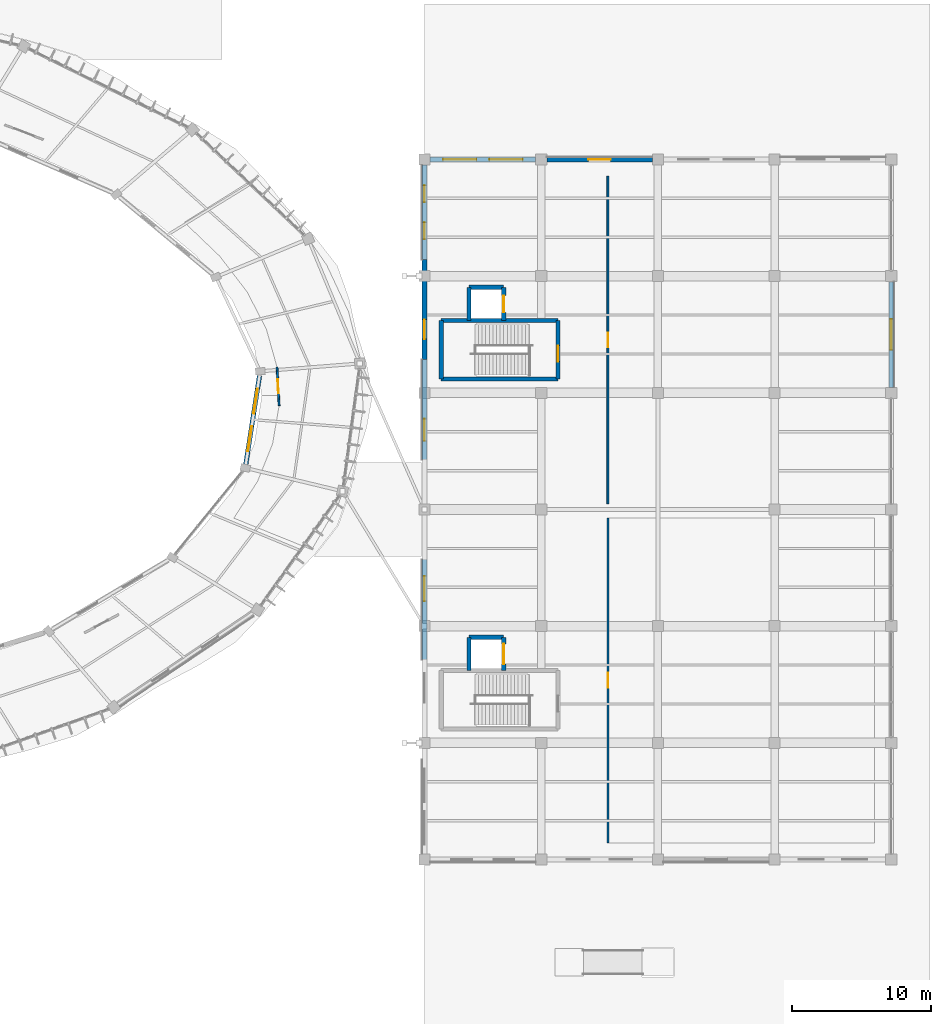
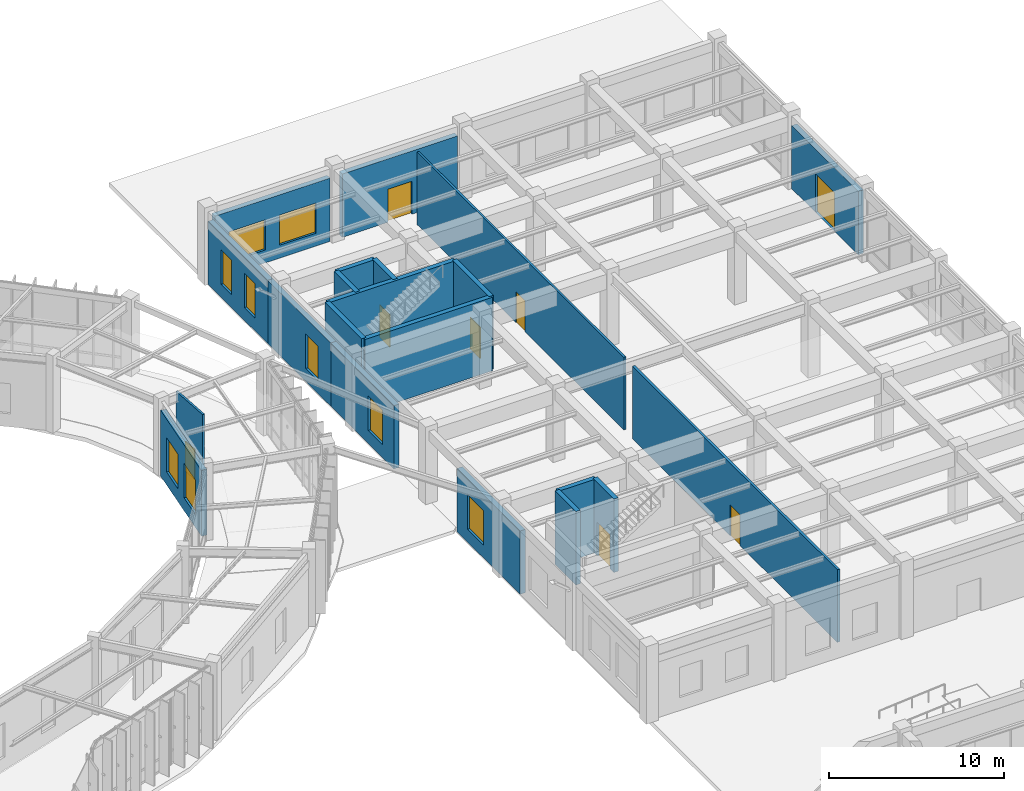
# One storey, part 134 of 157: 21 walls, 9 windows, 8 doors, 17 openings.
"""IFC4 building model written with IfcOpenShell, lengths in metres."""

from ifc_helpers import new_model, si_unit, direction, frame, frame_2d, origin, place, context, subcontext, project, spatial, rectangle, extrude, material, layer, layer_set, type_object, element, fill, save


model = new_model("IFC4")

# Units and contexts
model_context = context("Model", 3, precision=1e-05, world=origin(), true_north=direction((0.0, 1.0)))
body_context = subcontext(model_context, "Body", "Model", "MODEL_VIEW")
ifc_project = project(units=[si_unit("LENGTHUNIT", "METRE"), si_unit("AREAUNIT", "SQUARE_METRE"), si_unit("VOLUMEUNIT", "CUBIC_METRE"), si_unit("PLANEANGLEUNIT", "RADIAN"), si_unit("MASSUNIT", "GRAM", prefix="KILO"), si_unit("THERMODYNAMICTEMPERATUREUNIT", "KELVIN"), si_unit("POWERUNIT", "WATT")], contexts=[model_context])

# Site, building, storey
site_placement = place(None, origin())
site = spatial("IfcSite", under=ifc_project, at=site_placement, CompositionType="ELEMENT")
building_placement = place(site_placement, origin())
building = spatial("IfcBuilding", under=site, at=building_placement, Name="Darbajah Civic Hall", CompositionType="ELEMENT")
storey_placement = place(building_placement, origin())
storey = spatial("IfcBuildingStorey", under=building, at=storey_placement, Name="L00", CompositionType="ELEMENT", Elevation=0.0)

# Wall
ifc_material_1 = material(Name="Concrete C45/55", Category="concrete")
ifc_layer_1 = layer(ifc_material_1, 0.300048828125, Name="Concrete C45/55")
ifc_layer_set_1 = layer_set([ifc_layer_1], Name="Concrete C45/55")
wall_type_1 = type_object("IfcWallType", Name="Core Shear Wall 300mm", PredefinedType="SHEAR", material=ifc_layer_set_1)
wall_1_placement = place(storey_placement, frame((145.800048828125, 91.0, 0.0), z_axis=(0.0, 0.0, 1.0), x_axis=(1.0, 0.0, 0.0)))
element("IfcWall", 1, at=wall_1_placement, inside=storey, type_object=wall_type_1, Name="L00 core C08 shear wall S", PredefinedType="SHEAR", context=body_context, shape_type="SweptSolid", body=[
    extrude(rectangle(XDim=8.39990234375, YDim=0.300048828125, at=frame_2d((4.199951171875, 0.0))), origin(), (0.0, 0.0, 1.0), 5.1201171875),
])

# Wall, opening, door
wall_2_placement = place(storey_placement, frame((154.199951171875, 91.0, 0.0), z_axis=(0.0, 0.0, 1.0), x_axis=(0.0, 1.0, 0.0)))
wall_2 = element("IfcWall", 2, at=wall_2_placement, inside=storey, type_object=wall_type_1, Name="L00 core C08 shear wall E", PredefinedType="SHEAR", context=body_context, shape_type="SweptSolid", body=[
    extrude(rectangle(XDim=4.199951171875, YDim=0.300048828125, at=frame_2d((2.10009765625, 0.0))), origin(), (0.0, 0.0, 1.0), 5.1201171875),
])
opening_1_placement = place(wall_2_placement, frame((1.25, 0.0, 0.0)))
opening_1 = element("IfcOpeningElement", 3, at=opening_1_placement, cuts=wall_2, Name="Opening SD-0089", PredefinedType="OPENING", context=body_context, shape_type="SweptSolid", body=[
    extrude(rectangle(XDim=1.14990234375, YDim=2.199951171875, at=frame_2d((0.574951171875, 1.10009765625))), frame((0.0, 0.159912109375, 0.0), z_axis=(0.0, -1.0, 0.0), x_axis=(1.0, 0.0, 0.0)), (0.0, 0.0, 1.0), 0.320068359375),
])
ifc_material_2 = material(Name="Steel Rated Core Door", Category="steel")
door_type_1 = type_object("IfcDoorType", Name="Interior Door 1150x2200", OperationType="NOTDEFINED", PredefinedType="DOOR", material=ifc_material_2)
door_1_placement = place(opening_1_placement, frame((1.14990234375, 0.0, 0.0), z_axis=(0.0, 0.0, 1.0), x_axis=(-1.0, 0.0, 0.0)))
door_1 = element("IfcDoor", 4, at=door_1_placement, inside=storey, type_object=door_type_1, Name="L00 stair ST08 fire door SD-0089", OperationType="SINGLE_SWING_RIGHT", OverallHeight=2.199951171875, OverallWidth=1.14990234375, PredefinedType="DOOR", context=body_context, shape_type="SweptSolid", body=[
    extrude(rectangle(XDim=1.14990234375, YDim=2.199951171875, at=frame_2d((0.574951171875, 1.10009765625))), frame((0.0, 0.02490234375, 0.0), z_axis=(0.0, -1.0, 0.0), x_axis=(1.0, 0.0, 0.0)), (0.0, 0.0, 1.0), 0.050048828125),
])
fill(opening_1, door_1)

# Walls
wall_3_placement = place(storey_placement, frame((154.199951171875, 95.199951171875, 0.0), z_axis=(0.0, 0.0, 1.0), x_axis=(-1.0, 0.0, 0.0)))
element("IfcWall", 5, at=wall_3_placement, inside=storey, type_object=wall_type_1, Name="L00 core C08 shear wall N", PredefinedType="SHEAR", context=body_context, shape_type="SweptSolid", body=[
    extrude(rectangle(XDim=8.39990234375, YDim=0.300048828125, at=frame_2d((4.199951171875, 0.0))), origin(), (0.0, 0.0, 1.0), 5.1201171875),
])
wall_4_placement = place(storey_placement, frame((145.800048828125, 95.199951171875, 0.0), z_axis=(0.0, 0.0, 1.0), x_axis=(0.0, -1.0, 0.0)))
element("IfcWall", 6, at=wall_4_placement, inside=storey, type_object=wall_type_1, Name="L00 core C08 shear wall W", PredefinedType="SHEAR", context=body_context, shape_type="SweptSolid", body=[
    extrude(rectangle(XDim=4.199951171875, YDim=0.300048828125, at=frame_2d((2.10009765625, 0.0))), origin(), (0.0, 0.0, 1.0), 5.1201171875),
])
wall_5_placement = place(storey_placement, frame((150.300048828125, 97.60009765625, 0.0), z_axis=(0.0, 0.0, 1.0), x_axis=(-1.0, 0.0, 0.0)))
element("IfcWall", 7, at=wall_5_placement, inside=storey, type_object=wall_type_1, Name="L00 lift PL4 shaft wall N", PredefinedType="SHEAR", context=body_context, shape_type="SweptSolid", body=[
    extrude(rectangle(XDim=2.5, YDim=0.300048828125, at=frame_2d((1.25, 0.0))), origin(), (0.0, 0.0, 1.0), 5.1201171875),
])
wall_6_placement = place(storey_placement, frame((147.800048828125, 97.60009765625, 0.0), z_axis=(0.0, 0.0, 1.0), x_axis=(0.0, -1.0, 0.0)))
element("IfcWall", 8, at=wall_6_placement, inside=storey, type_object=wall_type_1, Name="L00 lift PL4 shaft wall W", PredefinedType="SHEAR", context=body_context, shape_type="SweptSolid", body=[
    extrude(rectangle(XDim=2.400146484375, YDim=0.300048828125, at=frame_2d((1.2001953125, 0.0))), origin(), (0.0, 0.0, 1.0), 5.1201171875),
])

# Wall, opening, door
wall_7_placement = place(storey_placement, frame((150.300048828125, 95.199951171875, 0.0), z_axis=(0.0, 0.0, 1.0), x_axis=(0.0, 1.0, 0.0)))
wall_7 = element("IfcWall", 9, at=wall_7_placement, inside=storey, type_object=wall_type_1, Name="L00 lift PL4 shaft wall E", PredefinedType="SHEAR", context=body_context, shape_type="SweptSolid", body=[
    extrude(rectangle(XDim=2.400146484375, YDim=0.300048828125, at=frame_2d((1.2001953125, 0.0))), origin(), (0.0, 0.0, 1.0), 5.1201171875),
])
opening_2_placement = place(wall_7_placement, frame((0.60009765625, 0.0, 0.0)))
opening_2 = element("IfcOpeningElement", 10, at=opening_2_placement, cuts=wall_7, Name="Opening LD-0094", PredefinedType="OPENING", context=body_context, shape_type="SweptSolid", body=[
    extrude(rectangle(XDim=1.199951171875, YDim=2.25, at=frame_2d((0.60009765625, 1.125))), frame((0.0, 0.159912109375, 0.0), z_axis=(0.0, -1.0, 0.0), x_axis=(1.0, 0.0, 0.0)), (0.0, 0.0, 1.0), 0.320068359375),
])
ifc_material_3 = material(Name="Stainless Lift Landing Door")
door_type_2 = type_object("IfcDoorType", Name="Lift Landing Door 1200x2250", OperationType="SLIDING_TO_LEFT", PredefinedType="DOOR", material=ifc_material_3)
door_2_placement = place(opening_2_placement, origin())
door_2 = element("IfcDoor", 11, at=door_2_placement, inside=storey, type_object=door_type_2, Name="L00 lift PL4 landing door LD-0094", OperationType="SLIDING_TO_LEFT", OverallHeight=2.25, OverallWidth=1.199951171875, PredefinedType="DOOR", context=body_context, shape_type="SweptSolid", body=[
    extrude(rectangle(XDim=1.199951171875, YDim=2.25, at=frame_2d((0.60009765625, 1.125))), frame((0.0, 0.02490234375, 0.0), z_axis=(0.0, -1.0, 0.0), x_axis=(1.0, 0.0, 0.0)), (0.0, 0.0, 1.0), 0.050048828125),
])
fill(opening_2, door_2)

# Walls
wall_8_placement = place(storey_placement, frame((150.300048828125, 72.39990234375, 0.0), z_axis=(0.0, 0.0, 1.0), x_axis=(-1.0, 0.0, 0.0)))
element("IfcWall", 12, at=wall_8_placement, inside=storey, type_object=wall_type_1, Name="L00 lift BL1 shaft wall N", PredefinedType="SHEAR", context=body_context, shape_type="SweptSolid", body=[
    extrude(rectangle(XDim=2.5, YDim=0.300048828125, at=frame_2d((1.25, 0.0))), origin(), (0.0, 0.0, 1.0), 5.1201171875),
])
wall_9_placement = place(storey_placement, frame((147.800048828125, 72.39990234375, 0.0), z_axis=(0.0, 0.0, 1.0), x_axis=(0.0, -1.0, 0.0)))
element("IfcWall", 13, at=wall_9_placement, inside=storey, type_object=wall_type_1, Name="L00 lift BL1 shaft wall W", PredefinedType="SHEAR", context=body_context, shape_type="SweptSolid", body=[
    extrude(rectangle(XDim=2.39990234375, YDim=0.300048828125, at=frame_2d((1.199951171875, 0.0))), origin(), (0.0, 0.0, 1.0), 5.1201171875),
])

# Wall, opening, door
wall_10_placement = place(storey_placement, frame((150.300048828125, 70.0, 0.0), z_axis=(0.0, 0.0, 1.0), x_axis=(0.0, 1.0, 0.0)))
wall_10 = element("IfcWall", 14, at=wall_10_placement, inside=storey, type_object=wall_type_1, Name="L00 lift BL1 shaft wall E", PredefinedType="SHEAR", context=body_context, shape_type="SweptSolid", body=[
    extrude(rectangle(XDim=2.39990234375, YDim=0.300048828125, at=frame_2d((1.199951171875, 0.0))), origin(), (0.0, 0.0, 1.0), 5.1201171875),
])
opening_3_placement = place(wall_10_placement, frame((0.47509765625, 0.0, 0.0)))
opening_3 = element("IfcOpeningElement", 15, at=opening_3_placement, cuts=wall_10, Name="Opening LD-0104", PredefinedType="OPENING", context=body_context, shape_type="SweptSolid", body=[
    extrude(rectangle(XDim=1.449951171875, YDim=2.35009765625, at=frame_2d((0.72509765625, 1.175048828125))), frame((0.0, 0.159912109375, 0.0), z_axis=(0.0, -1.0, 0.0), x_axis=(1.0, 0.0, 0.0)), (0.0, 0.0, 1.0), 0.320068359375),
])
ifc_material_4 = material(Name="Goods Lift Landing Door")
door_type_3 = type_object("IfcDoorType", Name="Lift Landing Door 1450x2350", OperationType="SLIDING_TO_LEFT", PredefinedType="DOOR", material=ifc_material_4)
door_3_placement = place(opening_3_placement, origin())
door_3 = element("IfcDoor", 16, at=door_3_placement, inside=storey, type_object=door_type_3, Name="L00 lift BL1 landing door LD-0104", OperationType="SLIDING_TO_LEFT", OverallHeight=2.35009765625, OverallWidth=1.449951171875, PredefinedType="DOOR", context=body_context, shape_type="SweptSolid", body=[
    extrude(rectangle(XDim=1.449951171875, YDim=2.35009765625, at=frame_2d((0.72509765625, 1.175048828125))), frame((0.0, 0.02490234375, 0.0), z_axis=(0.0, -1.0, 0.0), x_axis=(1.0, 0.0, 0.0)), (0.0, 0.0, 1.0), 0.050048828125),
])
fill(opening_3, door_3)

# Wall, openings, windows
ifc_material_5 = material(Name="Qatari Desert Limestone Ashlar", Category="masonry")
ifc_layer_2 = layer(ifc_material_5, 0.340087890625, Name="Qatari Desert Limestone Ashlar")
ifc_layer_set_2 = layer_set([ifc_layer_2], Name="Qatari Desert Limestone Ashlar")
wall_type_2 = type_object("IfcWallType", Name="Exterior Wall 340mm", PredefinedType="SOLIDWALL", material=ifc_layer_set_2)
wall_11_placement = place(storey_placement, frame((131.732666015625, 84.870849609375, 0.0), z_axis=(0.0, 0.0, 1.0), x_axis=(0.152735972987, 0.988267029985, 0.0)))
wall_11 = element("IfcWall", 17, at=wall_11_placement, inside=storey, type_object=wall_type_2, Name="L00 exterior wall EW-340", PredefinedType="SOLIDWALL", context=body_context, shape_type="SweptSolid", body=[
    extrude(rectangle(XDim=6.43212890625, YDim=0.340087890625, at=frame_2d((3.216064453125, 0.0))), origin(), (0.0, 0.0, 1.0), 4.5869140625),
])
opening_4_placement = place(wall_11_placement, frame((0.944091796875, 0.0, 0.89990234375)))
opening_4 = element("IfcOpeningElement", 18, at=opening_4_placement, cuts=wall_11, Name="Opening WN-12", PredefinedType="OPENING", context=body_context, shape_type="SweptSolid", body=[
    extrude(rectangle(XDim=1.800048828125, YDim=2.39990234375, at=frame_2d((0.89990234375, 1.199951171875))), frame((0.0, 0.179931640625, 0.0), z_axis=(0.0, -1.0, 0.0), x_axis=(1.0, 0.0, 0.0)), (0.0, 0.0, 1.0), 0.360107421875),
])
opening_5_placement = place(wall_11_placement, frame((3.688232421875, 0.0, 0.89990234375)))
opening_5 = element("IfcOpeningElement", 19, at=opening_5_placement, cuts=wall_11, Name="Opening WN-12", PredefinedType="OPENING", context=body_context, shape_type="SweptSolid", body=[
    extrude(rectangle(XDim=1.800048828125, YDim=2.39990234375, at=frame_2d((0.89990234375, 1.199951171875))), frame((0.0, 0.179931640625, 0.0), z_axis=(0.0, -1.0, 0.0), x_axis=(1.0, 0.0, 0.0)), (0.0, 0.0, 1.0), 0.360107421875),
])
ifc_material_6 = material(Name="Low-E Solar Control Double Glazing", Category="glass")
window_type_1 = type_object("IfcWindowType", Name="Facade Window 1800x2400", PartitioningType="DOUBLE_PANEL_VERTICAL", PredefinedType="WINDOW", material=ifc_material_6)
window_1_placement = place(opening_4_placement, origin())
window_1 = element("IfcWindow", 20, at=window_1_placement, inside=storey, type_object=window_type_1, Name="L00 facade window WN-12", OverallHeight=2.39990234375, OverallWidth=1.800048828125, PartitioningType="SINGLE_PANEL", PredefinedType="WINDOW", context=body_context, shape_type="SweptSolid", body=[
    extrude(rectangle(XDim=1.800048828125, YDim=2.39990234375, at=frame_2d((0.89990234375, 1.199951171875))), frame((0.0, 0.030029296875, 0.0), z_axis=(0.0, -1.0, 0.0), x_axis=(1.0, 0.0, 0.0)), (0.0, 0.0, 1.0), 0.06005859375),
])
fill(opening_4, window_1)
window_2_placement = place(opening_5_placement, origin())
window_2 = element("IfcWindow", 21, at=window_2_placement, inside=storey, type_object=window_type_1, Name="L00 facade window WN-12", OverallHeight=2.39990234375, OverallWidth=1.800048828125, PartitioningType="SINGLE_PANEL", PredefinedType="WINDOW", context=body_context, shape_type="SweptSolid", body=[
    extrude(rectangle(XDim=1.800048828125, YDim=2.39990234375, at=frame_2d((0.89990234375, 1.199951171875))), frame((0.0, 0.030029296875, 0.0), z_axis=(0.0, -1.0, 0.0), x_axis=(1.0, 0.0, 0.0)), (0.0, 0.0, 1.0), 0.06005859375),
])
fill(opening_5, window_2)

# Wall, opening, door
wall_12_placement = place(storey_placement, frame((178.199951171875, 90.402099609375, 0.0), z_axis=(0.0, 0.0, 1.0), x_axis=(0.0, 1.0, 0.0)))
wall_12 = element("IfcWall", 22, at=wall_12_placement, inside=storey, type_object=wall_type_2, Name="L00 exterior wall EW-340", PredefinedType="SOLIDWALL", context=body_context, shape_type="SweptSolid", body=[
    extrude(rectangle(XDim=7.595947265625, YDim=0.340087890625, at=frame_2d((3.7978515625, 0.0))), origin(), (0.0, 0.0, 1.0), 4.409912109375),
])
opening_6_placement = place(wall_12_placement, frame((2.697998046875, 0.0, 0.0)))
opening_6 = element("IfcOpeningElement", 23, at=opening_6_placement, cuts=wall_12, Name="Opening E-012", PredefinedType="OPENING", context=body_context, shape_type="SweptSolid", body=[
    extrude(rectangle(XDim=2.199951171875, YDim=2.699951171875, at=frame_2d((1.10009765625, 1.35009765625))), frame((0.0, 0.179931640625, 0.0), z_axis=(0.0, -1.0, 0.0), x_axis=(1.0, 0.0, 0.0)), (0.0, 0.0, 1.0), 0.360107421875),
])
ifc_material_7 = material(Name="Anodised Bronze Aluminium and Laminated Glass", Category="aluminium")
door_type_4 = type_object("IfcDoorType", Name="Exterior Door 2200x2700", OperationType="NOTDEFINED", PredefinedType="DOOR", material=ifc_material_7)
door_4_placement = place(opening_6_placement, frame((2.199951171875, 0.0, 0.0), z_axis=(0.0, 0.0, 1.0), x_axis=(-1.0, 0.0, 0.0)))
door_4 = element("IfcDoor", 24, at=door_4_placement, inside=storey, type_object=door_type_4, Name="Library Waterfront Entrance E-012", OperationType="DOUBLE_DOOR_SINGLE_SWING", OverallHeight=2.699951171875, OverallWidth=2.199951171875, PredefinedType="DOOR", context=body_context, shape_type="SweptSolid", body=[
    extrude(rectangle(XDim=2.199951171875, YDim=2.699951171875, at=frame_2d((1.10009765625, 1.35009765625))), frame((0.0, 0.02490234375, 0.0), z_axis=(0.0, -1.0, 0.0), x_axis=(1.0, 0.0, 0.0)), (0.0, 0.0, 1.0), 0.050048828125),
])
fill(opening_6, door_4)

wall_13_placement = place(storey_placement, frame((160.998046875, 106.800048828125, 0.0), z_axis=(0.0, 0.0, 1.0), x_axis=(-1.0, 0.0, 0.0)))
wall_13 = element("IfcWall", 25, at=wall_13_placement, inside=storey, type_object=wall_type_2, Name="L00 exterior wall EW-340", PredefinedType="SOLIDWALL", context=body_context, shape_type="SweptSolid", body=[
    extrude(rectangle(XDim=7.595947265625, YDim=0.340087890625, at=frame_2d((3.7978515625, 0.0))), origin(), (0.0, 0.0, 1.0), 4.409912109375),
])
opening_7_placement = place(wall_13_placement, frame((2.998046875, 0.0, 0.0)))
opening_7 = element("IfcOpeningElement", 26, at=opening_7_placement, cuts=wall_13, Name="Opening E-013", PredefinedType="OPENING", context=body_context, shape_type="SweptSolid", body=[
    extrude(rectangle(XDim=1.60009765625, YDim=2.300048828125, at=frame_2d((0.800048828125, 1.14990234375))), frame((0.0, 0.179931640625, 0.0), z_axis=(0.0, -1.0, 0.0), x_axis=(1.0, 0.0, 0.0)), (0.0, 0.0, 1.0), 0.360107421875),
])
door_type_5 = type_object("IfcDoorType", Name="Exterior Door 1600x2300", OperationType="NOTDEFINED", PredefinedType="DOOR", material=ifc_material_7)
door_5_placement = place(opening_7_placement, frame((1.60009765625, 0.0, 0.0), z_axis=(0.0, 0.0, 1.0), x_axis=(-1.0, 0.0, 0.0)))
door_5 = element("IfcDoor", 27, at=door_5_placement, inside=storey, type_object=door_type_5, Name="Pedestrian Final Exit E-013", OperationType="DOUBLE_DOOR_SINGLE_SWING", OverallHeight=2.300048828125, OverallWidth=1.60009765625, PredefinedType="DOOR", context=body_context, shape_type="SweptSolid", body=[
    extrude(rectangle(XDim=1.60009765625, YDim=2.300048828125, at=frame_2d((0.800048828125, 1.14990234375))), frame((0.0, 0.02490234375, 0.0), z_axis=(0.0, -1.0, 0.0), x_axis=(1.0, 0.0, 0.0)), (0.0, 0.0, 1.0), 0.050048828125),
])
fill(opening_7, door_5)

# Wall, openings, windows
wall_14_placement = place(storey_placement, frame((152.597900390625, 106.800048828125, 0.0), z_axis=(0.0, 0.0, 1.0), x_axis=(-1.0, 0.0, 0.0)))
wall_14 = element("IfcWall", 28, at=wall_14_placement, inside=storey, type_object=wall_type_2, Name="L00 exterior wall EW-340", PredefinedType="SOLIDWALL", context=body_context, shape_type="SweptSolid", body=[
    extrude(rectangle(XDim=7.595947265625, YDim=0.340087890625, at=frame_2d((3.7978515625, 0.0))), origin(), (0.0, 0.0, 1.0), 4.409912109375),
])
opening_8_placement = place(wall_14_placement, frame((0.931884765625, 0.0, 0.89990234375)))
opening_8 = element("IfcOpeningElement", 29, at=opening_8_placement, cuts=wall_14, Name="Opening WN-08", PredefinedType="OPENING", context=body_context, shape_type="SweptSolid", body=[
    extrude(rectangle(XDim=2.39990234375, YDim=2.10009765625, at=frame_2d((1.199951171875, 1.050048828125))), frame((0.0, 0.179931640625, 0.0), z_axis=(0.0, -1.0, 0.0), x_axis=(1.0, 0.0, 0.0)), (0.0, 0.0, 1.0), 0.360107421875),
])
opening_9_placement = place(wall_14_placement, frame((4.263916015625, 0.0, 0.89990234375)))
opening_9 = element("IfcOpeningElement", 30, at=opening_9_placement, cuts=wall_14, Name="Opening WN-08", PredefinedType="OPENING", context=body_context, shape_type="SweptSolid", body=[
    extrude(rectangle(XDim=2.39990234375, YDim=2.10009765625, at=frame_2d((1.199951171875, 1.050048828125))), frame((0.0, 0.179931640625, 0.0), z_axis=(0.0, -1.0, 0.0), x_axis=(1.0, 0.0, 0.0)), (0.0, 0.0, 1.0), 0.360107421875),
])
window_type_2 = type_object("IfcWindowType", Name="Facade Window 2400x2100", PartitioningType="DOUBLE_PANEL_VERTICAL", PredefinedType="WINDOW", material=ifc_material_6)
window_3_placement = place(opening_8_placement, origin())
window_3 = element("IfcWindow", 31, at=window_3_placement, inside=storey, type_object=window_type_2, Name="L00 facade window WN-08", OverallHeight=2.10009765625, OverallWidth=2.39990234375, PartitioningType="SINGLE_PANEL", PredefinedType="WINDOW", context=body_context, shape_type="SweptSolid", body=[
    extrude(rectangle(XDim=2.39990234375, YDim=2.10009765625, at=frame_2d((1.199951171875, 1.050048828125))), frame((0.0, 0.030029296875, 0.0), z_axis=(0.0, -1.0, 0.0), x_axis=(1.0, 0.0, 0.0)), (0.0, 0.0, 1.0), 0.06005859375),
])
fill(opening_8, window_3)
window_4_placement = place(opening_9_placement, origin())
window_4 = element("IfcWindow", 32, at=window_4_placement, inside=storey, type_object=window_type_2, Name="L00 facade window WN-08", OverallHeight=2.10009765625, OverallWidth=2.39990234375, PartitioningType="SINGLE_PANEL", PredefinedType="WINDOW", context=body_context, shape_type="SweptSolid", body=[
    extrude(rectangle(XDim=2.39990234375, YDim=2.10009765625, at=frame_2d((1.199951171875, 1.050048828125))), frame((0.0, 0.030029296875, 0.0), z_axis=(0.0, -1.0, 0.0), x_axis=(1.0, 0.0, 0.0)), (0.0, 0.0, 1.0), 0.06005859375),
])
fill(opening_9, window_4)

wall_15_placement = place(storey_placement, frame((144.60009765625, 106.39794921875, 0.0), z_axis=(0.0, 0.0, 1.0), x_axis=(0.0, -1.0, 0.0)))
wall_15 = element("IfcWall", 33, at=wall_15_placement, inside=storey, type_object=wall_type_2, Name="L00 exterior wall EW-340", PredefinedType="SOLIDWALL", context=body_context, shape_type="SweptSolid", body=[
    extrude(rectangle(XDim=6.7978515625, YDim=0.340087890625, at=frame_2d((3.39892578125, 0.0))), origin(), (0.0, 0.0, 1.0), 4.409912109375),
])
opening_10_placement = place(wall_15_placement, frame((1.466064453125, 0.0, 0.89990234375)))
opening_10 = element("IfcOpeningElement", 34, at=opening_10_placement, cuts=wall_15, Name="Opening WN-09", PredefinedType="OPENING", context=body_context, shape_type="SweptSolid", body=[
    extrude(rectangle(XDim=1.199951171875, YDim=2.39990234375, at=frame_2d((0.60009765625, 1.199951171875))), frame((0.0, 0.179931640625, 0.0), z_axis=(0.0, -1.0, 0.0), x_axis=(1.0, 0.0, 0.0)), (0.0, 0.0, 1.0), 0.360107421875),
])
opening_11_placement = place(wall_15_placement, frame((4.132080078125, 0.0, 0.89990234375)))
opening_11 = element("IfcOpeningElement", 35, at=opening_11_placement, cuts=wall_15, Name="Opening WN-09", PredefinedType="OPENING", context=body_context, shape_type="SweptSolid", body=[
    extrude(rectangle(XDim=1.199951171875, YDim=2.39990234375, at=frame_2d((0.60009765625, 1.199951171875))), frame((0.0, 0.179931640625, 0.0), z_axis=(0.0, -1.0, 0.0), x_axis=(1.0, 0.0, 0.0)), (0.0, 0.0, 1.0), 0.360107421875),
])
window_type_3 = type_object("IfcWindowType", Name="Facade Window 1200x2400", PartitioningType="SINGLE_PANEL", PredefinedType="WINDOW", material=ifc_material_6)
window_5_placement = place(opening_10_placement, origin())
window_5 = element("IfcWindow", 36, at=window_5_placement, inside=storey, type_object=window_type_3, Name="L00 facade window WN-09", OverallHeight=2.39990234375, OverallWidth=1.199951171875, PartitioningType="SINGLE_PANEL", PredefinedType="WINDOW", context=body_context, shape_type="SweptSolid", body=[
    extrude(rectangle(XDim=1.199951171875, YDim=2.39990234375, at=frame_2d((0.60009765625, 1.199951171875))), frame((0.0, 0.030029296875, 0.0), z_axis=(0.0, -1.0, 0.0), x_axis=(1.0, 0.0, 0.0)), (0.0, 0.0, 1.0), 0.06005859375),
])
fill(opening_10, window_5)
window_6_placement = place(opening_11_placement, origin())
window_6 = element("IfcWindow", 37, at=window_6_placement, inside=storey, type_object=window_type_3, Name="L00 facade window WN-09", OverallHeight=2.39990234375, OverallWidth=1.199951171875, PartitioningType="SINGLE_PANEL", PredefinedType="WINDOW", context=body_context, shape_type="SweptSolid", body=[
    extrude(rectangle(XDim=1.199951171875, YDim=2.39990234375, at=frame_2d((0.60009765625, 1.199951171875))), frame((0.0, 0.030029296875, 0.0), z_axis=(0.0, -1.0, 0.0), x_axis=(1.0, 0.0, 0.0)), (0.0, 0.0, 1.0), 0.06005859375),
])
fill(opening_11, window_6)

# Wall, opening, window
wall_16_placement = place(storey_placement, frame((144.60009765625, 99.60009765625, 0.0), z_axis=(0.0, 0.0, 1.0), x_axis=(0.0, -1.0, 0.0)))
wall_16 = element("IfcWall", 38, at=wall_16_placement, inside=storey, type_object=wall_type_2, Name="L00 exterior wall EW-340", PredefinedType="SOLIDWALL", context=body_context, shape_type="SweptSolid", body=[
    extrude(rectangle(XDim=7.2001953125, YDim=0.340087890625, at=frame_2d((3.60009765625, 0.0))), origin(), (0.0, 0.0, 1.0), 4.409912109375),
])
opening_12_placement = place(wall_16_placement, frame((4.333251953125, 0.0, 0.89990234375)))
opening_12 = element("IfcOpeningElement", 39, at=opening_12_placement, cuts=wall_16, Name="Opening WN-10", PredefinedType="OPENING", context=body_context, shape_type="SweptSolid", body=[
    extrude(rectangle(XDim=1.39990234375, YDim=2.39990234375, at=frame_2d((0.699951171875, 1.199951171875))), frame((0.0, 0.179931640625, 0.0), z_axis=(0.0, -1.0, 0.0), x_axis=(1.0, 0.0, 0.0)), (0.0, 0.0, 1.0), 0.360107421875),
])
window_type_4 = type_object("IfcWindowType", Name="Facade Window 1400x2400", PartitioningType="SINGLE_PANEL", PredefinedType="WINDOW", material=ifc_material_6)
window_7_placement = place(opening_12_placement, origin())
window_7 = element("IfcWindow", 40, at=window_7_placement, inside=storey, type_object=window_type_4, Name="L00 facade window WN-10", OverallHeight=2.39990234375, OverallWidth=1.39990234375, PartitioningType="SINGLE_PANEL", PredefinedType="WINDOW", context=body_context, shape_type="SweptSolid", body=[
    extrude(rectangle(XDim=1.39990234375, YDim=2.39990234375, at=frame_2d((0.699951171875, 1.199951171875))), frame((0.0, 0.030029296875, 0.0), z_axis=(0.0, -1.0, 0.0), x_axis=(1.0, 0.0, 0.0)), (0.0, 0.0, 1.0), 0.06005859375),
])
fill(opening_12, window_7)

wall_17_placement = place(storey_placement, frame((144.60009765625, 92.39990234375, 0.0), z_axis=(0.0, 0.0, 1.0), x_axis=(0.0, -1.0, 0.0)))
wall_17 = element("IfcWall", 41, at=wall_17_placement, inside=storey, type_object=wall_type_2, Name="L00 exterior wall EW-340", PredefinedType="SOLIDWALL", context=body_context, shape_type="SweptSolid", body=[
    extrude(rectangle(XDim=7.199951171875, YDim=0.340087890625, at=frame_2d((3.60009765625, 0.0))), origin(), (0.0, 0.0, 1.0), 4.409912109375),
])
opening_13_placement = place(wall_17_placement, frame((4.2666015625, 0.0, 0.89990234375)))
opening_13 = element("IfcOpeningElement", 42, at=opening_13_placement, cuts=wall_17, Name="Opening WN-11", PredefinedType="OPENING", context=body_context, shape_type="SweptSolid", body=[
    extrude(rectangle(XDim=1.60009765625, YDim=2.39990234375, at=frame_2d((0.800048828125, 1.199951171875))), frame((0.0, 0.179931640625, 0.0), z_axis=(0.0, -1.0, 0.0), x_axis=(1.0, 0.0, 0.0)), (0.0, 0.0, 1.0), 0.360107421875),
])
window_type_5 = type_object("IfcWindowType", Name="Facade Window 1600x2400", PartitioningType="DOUBLE_PANEL_VERTICAL", PredefinedType="WINDOW", material=ifc_material_6)
window_8_placement = place(opening_13_placement, origin())
window_8 = element("IfcWindow", 43, at=window_8_placement, inside=storey, type_object=window_type_5, Name="L00 facade window WN-11", OverallHeight=2.39990234375, OverallWidth=1.60009765625, PartitioningType="SINGLE_PANEL", PredefinedType="WINDOW", context=body_context, shape_type="SweptSolid", body=[
    extrude(rectangle(XDim=1.60009765625, YDim=2.39990234375, at=frame_2d((0.800048828125, 1.199951171875))), frame((0.0, 0.030029296875, 0.0), z_axis=(0.0, -1.0, 0.0), x_axis=(1.0, 0.0, 0.0)), (0.0, 0.0, 1.0), 0.06005859375),
])
fill(opening_13, window_8)

wall_18_placement = place(storey_placement, frame((144.60009765625, 78.0, 0.0), z_axis=(0.0, 0.0, 1.0), x_axis=(0.0, -1.0, 0.0)))
wall_18 = element("IfcWall", 44, at=wall_18_placement, inside=storey, type_object=wall_type_2, Name="L00 exterior wall EW-340", PredefinedType="SOLIDWALL", context=body_context, shape_type="SweptSolid", body=[
    extrude(rectangle(XDim=7.199951171875, YDim=0.340087890625, at=frame_2d((3.60009765625, 0.0))), origin(), (0.0, 0.0, 1.0), 4.409912109375),
])
opening_14_placement = place(wall_18_placement, frame((1.199951171875, 0.0, 0.89990234375)))
opening_14 = element("IfcOpeningElement", 45, at=opening_14_placement, cuts=wall_18, Name="Opening WN-12", PredefinedType="OPENING", context=body_context, shape_type="SweptSolid", body=[
    extrude(rectangle(XDim=1.800048828125, YDim=2.39990234375, at=frame_2d((0.89990234375, 1.199951171875))), frame((0.0, 0.179931640625, 0.0), z_axis=(0.0, -1.0, 0.0), x_axis=(1.0, 0.0, 0.0)), (0.0, 0.0, 1.0), 0.360107421875),
])
window_9_placement = place(opening_14_placement, origin())
window_9 = element("IfcWindow", 46, at=window_9_placement, inside=storey, type_object=window_type_1, Name="L00 facade window WN-12", OverallHeight=2.39990234375, OverallWidth=1.800048828125, PartitioningType="SINGLE_PANEL", PredefinedType="WINDOW", context=body_context, shape_type="SweptSolid", body=[
    extrude(rectangle(XDim=1.800048828125, YDim=2.39990234375, at=frame_2d((0.89990234375, 1.199951171875))), frame((0.0, 0.030029296875, 0.0), z_axis=(0.0, -1.0, 0.0), x_axis=(1.0, 0.0, 0.0)), (0.0, 0.0, 1.0), 0.06005859375),
])
fill(opening_14, window_9)

# Wall, opening, door
ifc_material_8 = material(Name="Gypsum Plasterboard on Steel Stud", Category="steel")
ifc_layer_3 = layer(ifc_material_8, 0.135009765625, Name="Gypsum Plasterboard on Steel Stud")
ifc_layer_set_3 = layer_set([ifc_layer_3], Name="Gypsum Plasterboard on Steel Stud")
wall_type_3 = type_object("IfcWallType", Name="Interior Partition 135mm", PredefinedType="PARTITIONING", material=ifc_layer_set_3)
wall_19_placement = place(storey_placement, frame((133.978515625, 91.8525390625, 0.0), z_axis=(0.0, 0.0, 1.0), x_axis=(0.054179092781, -0.998531234316, 0.0)))
wall_19 = element("IfcWall", 47, at=wall_19_placement, inside=storey, type_object=wall_type_3, Name="L00 interior partition L00-V1-02", PredefinedType="PARTITIONING", context=body_context, shape_type="SweptSolid", body=[
    extrude(rectangle(XDim=2.77587890625, YDim=0.135009765625, at=frame_2d((1.387939453125, 0.0))), origin(), (0.0, 0.0, 1.0), 5.06005859375),
])
opening_15_placement = place(wall_19_placement, frame((0.887939453125, 0.0, 0.0)))
opening_15 = element("IfcOpeningElement", 48, at=opening_15_placement, cuts=wall_19, Name="Opening D-0153", PredefinedType="OPENING", context=body_context, shape_type="SweptSolid", body=[
    extrude(rectangle(XDim=1.0, YDim=2.10009765625, at=frame_2d((0.5, 1.050048828125))), frame((0.0, 0.077392578125, 0.0), z_axis=(0.0, -1.0, 0.0), x_axis=(1.0, 0.0, 0.0)), (0.0, 0.0, 1.0), 0.155029296875),
])
ifc_material_9 = material(Name="Oak Suite Door")
door_type_6 = type_object("IfcDoorType", Name="Interior Door 1000x2100", OperationType="NOTDEFINED", PredefinedType="DOOR", material=ifc_material_9)
door_6_placement = place(opening_15_placement, origin())
door_6 = element("IfcDoor", 49, at=door_6_placement, inside=storey, type_object=door_type_6, Name="L00 L00-V1-02 door D-0153", OperationType="SINGLE_SWING_RIGHT", OverallHeight=2.10009765625, OverallWidth=1.0, PredefinedType="DOOR", context=body_context, shape_type="SweptSolid", body=[
    extrude(rectangle(XDim=1.0, YDim=2.10009765625, at=frame_2d((0.5, 1.050048828125))), frame((0.0, 0.02490234375, 0.0), z_axis=(0.0, -1.0, 0.0), x_axis=(1.0, 0.0, 0.0)), (0.0, 0.0, 1.0), 0.050048828125),
])
fill(opening_15, door_6)

wall_20_placement = place(storey_placement, frame((157.800048828125, 82.0, 0.0), z_axis=(0.0, 0.0, 1.0), x_axis=(0.0, 1.0, 0.0)))
wall_20 = element("IfcWall", 50, at=wall_20_placement, inside=storey, type_object=wall_type_3, Name="L00 interior partition L00-V4-02", PredefinedType="PARTITIONING", context=body_context, shape_type="SweptSolid", body=[
    extrude(rectangle(XDim=23.60009765625, YDim=0.135009765625, at=frame_2d((11.800048828125, 0.0))), origin(), (0.0, 0.0, 1.0), 5.06005859375),
])
opening_16_placement = place(wall_20_placement, frame((11.27490234375, 0.0, 0.0)))
opening_16 = element("IfcOpeningElement", 51, at=opening_16_placement, cuts=wall_20, Name="Opening D-0168", PredefinedType="OPENING", context=body_context, shape_type="SweptSolid", body=[
    extrude(rectangle(XDim=1.050048828125, YDim=2.14990234375, at=frame_2d((0.52490234375, 1.074951171875))), frame((0.0, 0.077392578125, 0.0), z_axis=(0.0, -1.0, 0.0), x_axis=(1.0, 0.0, 0.0)), (0.0, 0.0, 1.0), 0.155029296875),
])
ifc_material_10 = material(Name="Acoustic Oak Office Door")
door_type_7 = type_object("IfcDoorType", Name="Interior Door 1050x2150", OperationType="NOTDEFINED", PredefinedType="DOOR", material=ifc_material_10)
door_7_placement = place(opening_16_placement, origin())
door_7 = element("IfcDoor", 52, at=door_7_placement, inside=storey, type_object=door_type_7, Name="L00 L00-V4-02 door D-0168", OperationType="SINGLE_SWING_LEFT", OverallHeight=2.14990234375, OverallWidth=1.050048828125, PredefinedType="DOOR", context=body_context, shape_type="SweptSolid", body=[
    extrude(rectangle(XDim=1.050048828125, YDim=2.14990234375, at=frame_2d((0.52490234375, 1.074951171875))), frame((0.0, 0.02490234375, 0.0), z_axis=(0.0, -1.0, 0.0), x_axis=(1.0, 0.0, 0.0)), (0.0, 0.0, 1.0), 0.050048828125),
])
fill(opening_16, door_7)

ifc_layer_4 = layer(ifc_material_8, 0.159912109375, Name="Gypsum Plasterboard on Steel Stud")
ifc_layer_set_4 = layer_set([ifc_layer_4], Name="Gypsum Plasterboard on Steel Stud")
wall_type_4 = type_object("IfcWallType", Name="Interior Partition 160mm", PredefinedType="PARTITIONING", material=ifc_layer_set_4)
wall_21_placement = place(storey_placement, frame((157.800048828125, 57.60009765625, 0.0), z_axis=(0.0, 0.0, 1.0), x_axis=(0.0, 1.0, 0.0)))
wall_21 = element("IfcWall", 53, at=wall_21_placement, inside=storey, type_object=wall_type_4, Name="L00 interior partition L00-V4-01", PredefinedType="PARTITIONING", context=body_context, shape_type="SweptSolid", body=[
    extrude(rectangle(XDim=23.39990234375, YDim=0.159912109375, at=frame_2d((11.699951171875, 0.0))), origin(), (0.0, 0.0, 1.0), 5.06005859375),
])
opening_17_placement = place(wall_21_placement, frame((11.14990234375, 0.0, 0.0)))
opening_17 = element("IfcOpeningElement", 54, at=opening_17_placement, cuts=wall_21, Name="Opening D-0167", PredefinedType="OPENING", context=body_context, shape_type="SweptSolid", body=[
    extrude(rectangle(XDim=1.10009765625, YDim=2.14990234375, at=frame_2d((0.550048828125, 1.074951171875))), frame((0.0, 0.08984375, 0.0), z_axis=(0.0, -1.0, 0.0), x_axis=(1.0, 0.0, 0.0)), (0.0, 0.0, 1.0), 0.179931640625),
])
door_type_8 = type_object("IfcDoorType", Name="Interior Door 1100x2150", OperationType="NOTDEFINED", PredefinedType="DOOR", material=ifc_material_10)
door_8_placement = place(opening_17_placement, origin())
door_8 = element("IfcDoor", 55, at=door_8_placement, inside=storey, type_object=door_type_8, Name="L00 L00-V4-01 door D-0167", OperationType="SINGLE_SWING_RIGHT", OverallHeight=2.14990234375, OverallWidth=1.10009765625, PredefinedType="DOOR", context=body_context, shape_type="SweptSolid", body=[
    extrude(rectangle(XDim=1.10009765625, YDim=2.14990234375, at=frame_2d((0.550048828125, 1.074951171875))), frame((0.0, 0.02490234375, 0.0), z_axis=(0.0, -1.0, 0.0), x_axis=(1.0, 0.0, 0.0)), (0.0, 0.0, 1.0), 0.050048828125),
])
fill(opening_17, door_8)

save(model, "model.ifc")
